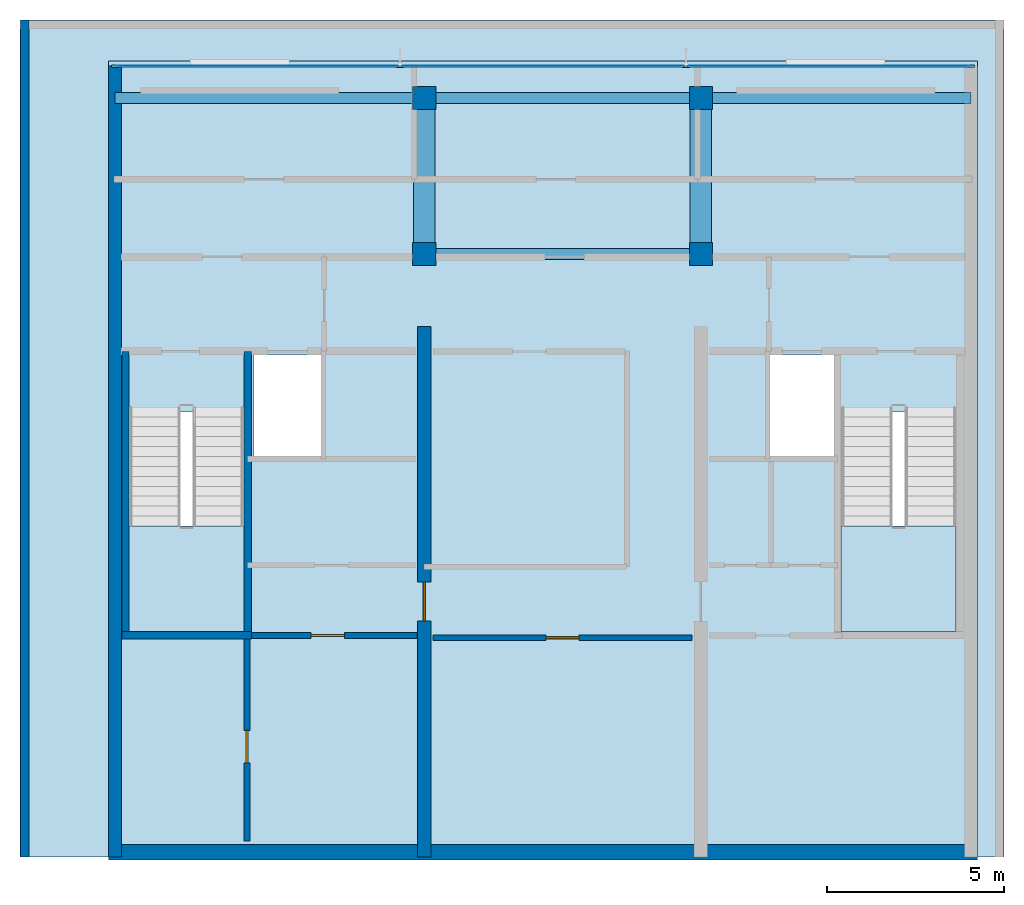
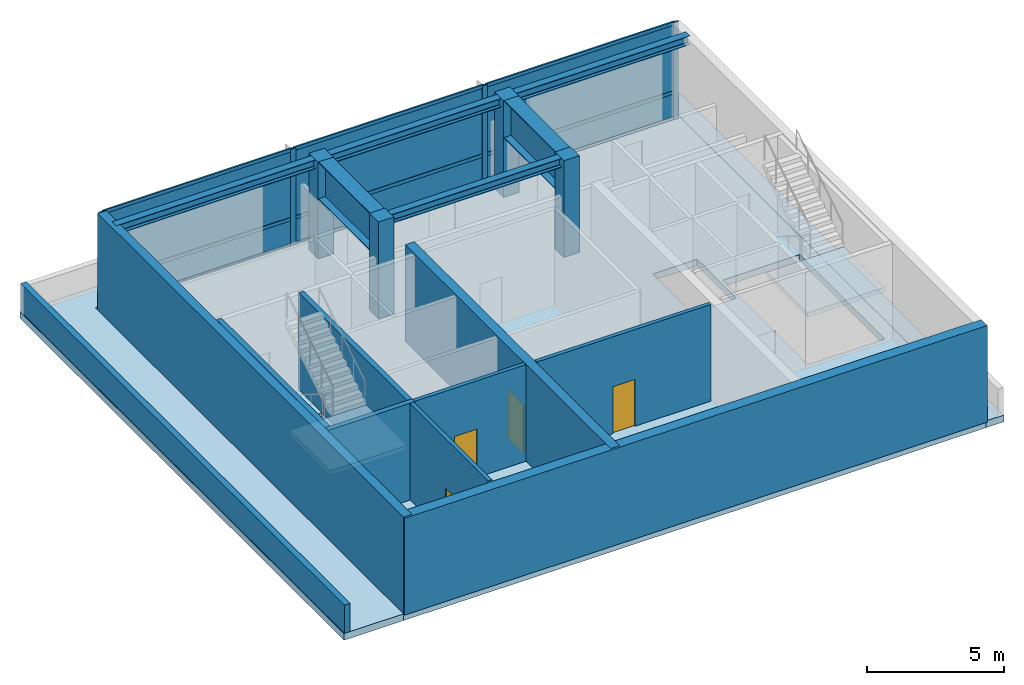
# One storey, part 1 of 4: 13 members, 10 walls, 6 beams, 6 plates, 4 columns, 4 doors, 4 slabs, 4 openings, 3 elements without a shape of their own.
"""IFC4 building model written with IfcOpenShell, lengths in metres."""

from ifc_helpers import new_model, si_unit, direction, frame, frame_2d, origin, origin_2d, place, context, subcontext, project, spatial, polyline, rectangle, i_section, outline, extrude, material, layer, layer_set, material_profile, profile_set, type_object, element, fill, aggregate, save


model = new_model("IFC4")

# Units and contexts
model_context = context("Model", 3, precision=1e-05, world=origin(), true_north=direction((0.0, 1.0)))
body_context = subcontext(model_context, "Body", "Model", "MODEL_VIEW")
ifc_project = project(units=[si_unit("LENGTHUNIT", "METRE"), si_unit("AREAUNIT", "SQUARE_METRE"), si_unit("VOLUMEUNIT", "CUBIC_METRE"), si_unit("PLANEANGLEUNIT", "RADIAN"), si_unit("MASSUNIT", "GRAM", prefix="KILO")], contexts=[model_context])

# Site, building, storey
site_placement = place(None, origin())
site = spatial("IfcSite", under=ifc_project, at=site_placement, CompositionType="ELEMENT")
building_placement = place(site_placement, origin())
building = spatial("IfcBuilding", under=site, at=building_placement, Name="Qalmaran Belvedere Hotel", CompositionType="ELEMENT")
storey_placement = place(building_placement, frame((0.0, 0.0, 307.89990234375)))
storey = spatial("IfcBuildingStorey", under=building, at=storey_placement, Name="C03", CompositionType="ELEMENT", Elevation=307.89990234375)

# Columns
ifc_material_1 = material(Name="Concrete C50/60", Category="concrete")
ifc_material_profile_1 = material_profile(ifc_material_1, rectangle(XDim=0.64990234375, YDim=0.64990234375, at=origin_2d()), Name="CC650X650")
ifc_profile_set_1 = profile_set([ifc_material_profile_1], Name="Concrete C50/60")
column_type = type_object("IfcColumnType", Name="COL-CRN-CC650", PredefinedType="COLUMN", material=ifc_profile_set_1)
for number, where, z_axis, x_axis, name in (
    (1, (29.199951171875, 20.5, -0.2998046875), (0.0, 0.0, 1.0), (1.0, 0.0, 0.0), "C03 Column C5D"),
    (2, (37.0, 20.5, -0.2998046875), (0.0, 0.0, 1.0), (1.0, 0.0, 0.0), "C03 Column C6D"),
    (3, (29.199951171875, 24.89990234375, -0.2998046875), (0.0, 0.0, 1.0), (1.0, 0.0, 0.0), "C03 Column CN2"),
    (4, (37.0, 24.89990234375, -0.2998046875), (0.0, 0.0, 1.0), (1.0, 0.0, 0.0), "C03 Column CN3"),
):
    element("IfcColumn", number, at=place(storey_placement, frame(where, z_axis=z_axis, x_axis=x_axis)), inside=storey, type_object=column_type, Name=name, PredefinedType="COLUMN", context=body_context, shape_type="SweptSolid", body=[
        extrude(rectangle(XDim=0.64990234375, YDim=0.64990234375, at=origin_2d()), origin(), (0.0, 0.0, 1.0), 4.599853515625),
    ])

# Beams
ifc_material_2 = material(Name="Steel S355JR", Category="steel")
ifc_material_profile_2 = material_profile(ifc_material_2, i_section(OverallWidth=0.300048828125, OverallDepth=0.39990234375, WebThickness=0.013427734375, FlangeThickness=0.02392578125, FilletRadius=0.027099609375, at=origin_2d()), Name="HEB400")
ifc_profile_set_2 = profile_set([ifc_material_profile_2], Name="Steel S355JR")
beam_type_1 = type_object("IfcBeamType", Name="BM-CRN-HEB400", PredefinedType="BEAM", material=ifc_profile_set_2)
beam_1_placement = place(storey_placement, frame((29.199951171875, 20.5, 4.10009765625), z_axis=(1.0, 0.0, 0.0), x_axis=(0.0, 1.0, 0.0)))
element("IfcBeam", 5, at=beam_1_placement, inside=storey, type_object=beam_type_1, Name="C03 Crown Frame Beam X01", PredefinedType="BEAM", context=body_context, shape_type="SweptSolid", body=[
    extrude(i_section(OverallWidth=0.300048828125, OverallDepth=0.39990234375, WebThickness=0.013427734375, FlangeThickness=0.02392578125, FilletRadius=0.027099609375, at=origin_2d()), origin(), (0.0, 0.0, 1.0), 7.800048828125),
])
beam_2_placement = place(storey_placement, frame((20.47998046875, 24.89990234375, 4.10009765625), z_axis=(1.0, 0.0, 0.0), x_axis=(0.0, 1.0, 0.0)))
element("IfcBeam", 6, at=beam_2_placement, inside=storey, type_object=beam_type_1, Name="C03 Crown Frame Beam X02", PredefinedType="BEAM", context=body_context, shape_type="SweptSolid", body=[
    extrude(i_section(OverallWidth=0.300048828125, OverallDepth=0.39990234375, WebThickness=0.013427734375, FlangeThickness=0.02392578125, FilletRadius=0.027099609375, at=origin_2d()), origin(), (0.0, 0.0, 1.0), 8.719970703125),
])
beam_3_placement = place(storey_placement, frame((29.199951171875, 24.89990234375, 4.10009765625), z_axis=(1.0, 0.0, 0.0), x_axis=(0.0, 1.0, 0.0)))
element("IfcBeam", 7, at=beam_3_placement, inside=storey, type_object=beam_type_1, Name="C03 Crown Frame Beam X03", PredefinedType="BEAM", context=body_context, shape_type="SweptSolid", body=[
    extrude(i_section(OverallWidth=0.300048828125, OverallDepth=0.39990234375, WebThickness=0.013427734375, FlangeThickness=0.02392578125, FilletRadius=0.027099609375, at=origin_2d()), origin(), (0.0, 0.0, 1.0), 7.800048828125),
])
beam_4_placement = place(storey_placement, frame((37.0, 24.89990234375, 4.10009765625), z_axis=(1.0, 0.0, 0.0), x_axis=(0.0, 1.0, 0.0)))
element("IfcBeam", 8, at=beam_4_placement, inside=storey, type_object=beam_type_1, Name="C03 Crown Frame Beam X04", PredefinedType="BEAM", context=body_context, shape_type="SweptSolid", body=[
    extrude(i_section(OverallWidth=0.300048828125, OverallDepth=0.39990234375, WebThickness=0.013427734375, FlangeThickness=0.02392578125, FilletRadius=0.027099609375, at=origin_2d()), origin(), (0.0, 0.0, 1.0), 7.6201171875),
])
ifc_material_profile_3 = material_profile(ifc_material_2, i_section(OverallWidth=0.60009765625, OverallDepth=1.679931640625, WebThickness=0.02587890625, FlangeThickness=0.035888671875, at=origin_2d()), Name="PG1680X600X36")
ifc_profile_set_3 = profile_set([ifc_material_profile_3], Name="Steel S355JR")
beam_type_2 = type_object("IfcBeamType", Name="BM-TG5-PG1680X600", PredefinedType="USERDEFINED", material=ifc_profile_set_3)
for number, where, z_axis, x_axis, name in (
    (9, (29.199951171875, 20.5, 3.460205078125), (0.0, 1.0, 0.0), (-1.0, 0.0, 0.0), "C03 Crown Frame Beam Y05"),
    (10, (37.0, 20.5, 3.460205078125), (0.0, 1.0, 0.0), (-1.0, 0.0, 0.0), "C03 Crown Frame Beam Y06"),
):
    element("IfcBeam", number, at=place(storey_placement, frame(where, z_axis=z_axis, x_axis=x_axis)), inside=storey, type_object=beam_type_2, Name=name, ObjectType="GIRDER", PredefinedType="USERDEFINED", context=body_context, shape_type="SweptSolid", body=[
        extrude(i_section(OverallWidth=0.60009765625, OverallDepth=1.679931640625, WebThickness=0.02587890625, FlangeThickness=0.035888671875, at=origin_2d()), origin(), (0.0, 0.0, 1.0), 4.39990234375),
    ])

# Curtain wall, members, plates
ifc_material_3 = material(Name="Anodised Bronze Aluminium", Category="aluminium")
ifc_layer_1 = layer(ifc_material_3, 0.205078125, Name="Anodised Bronze Aluminium")
ifc_layer_set_1 = layer_set([ifc_layer_1], Name="Anodised Bronze Aluminium")
curtain_wall_type = type_object("IfcCurtainWallType", Name="CW7-CROWN-BELVEDERE", PredefinedType="NOTDEFINED", material=ifc_layer_set_1)
curtain_wall_placement = place(storey_placement, origin())
curtain_wall = element("IfcCurtainWall", 11, at=curtain_wall_placement, inside=storey, type_object=curtain_wall_type, Name="C03 Curtain Wall CW7", PredefinedType="NOTDEFINED")
ifc_material_profile_4 = material_profile(ifc_material_3, rectangle(XDim=0.074951171875, YDim=0.219970703125, at=origin_2d()), Name="CWM75X220")
ifc_profile_set_4 = profile_set([ifc_material_profile_4], Name="Anodised Bronze Aluminium")
member_type_1 = type_object("IfcMemberType", Name="CWM-75X220", PredefinedType="MULLION", material=ifc_profile_set_4)
member_1_placement = place(storey_placement, frame((44.612548828125, 25.800048828125, 0.0), z_axis=(0.0, 0.0, 1.0), x_axis=(0.0, -1.0, 0.0)))
member_1 = element("IfcMember", 12, at=member_1_placement, type_object=member_type_1, Name="CW7 mullion 1", PredefinedType="MULLION", context=body_context, shape_type="SweptSolid", body=[
    extrude(rectangle(XDim=0.074951171875, YDim=0.219970703125, at=origin_2d()), origin(), (0.0, 0.0, 1.0), 4.300048828125),
])
member_2_placement = place(storey_placement, frame((36.583251953125, 25.800048828125, 0.0), z_axis=(0.0, 0.0, 1.0), x_axis=(0.0, -1.0, 0.0)))
member_2 = element("IfcMember", 13, at=member_2_placement, type_object=member_type_1, Name="CW7 mullion 2", PredefinedType="MULLION", context=body_context, shape_type="SweptSolid", body=[
    extrude(rectangle(XDim=0.074951171875, YDim=0.219970703125, at=origin_2d()), origin(), (0.0, 0.0, 1.0), 4.300048828125),
])
member_3_placement = place(storey_placement, frame((28.5166015625, 25.800048828125, 0.0), z_axis=(0.0, 0.0, 1.0), x_axis=(0.0, -1.0, 0.0)))
member_3 = element("IfcMember", 14, at=member_3_placement, type_object=member_type_1, Name="CW7 mullion 3", PredefinedType="MULLION", context=body_context, shape_type="SweptSolid", body=[
    extrude(rectangle(XDim=0.074951171875, YDim=0.219970703125, at=origin_2d()), origin(), (0.0, 0.0, 1.0), 4.300048828125),
])
member_4_placement = place(storey_placement, frame((20.487548828125, 25.800048828125, 0.0), z_axis=(0.0, 0.0, 1.0), x_axis=(0.0, -1.0, 0.0)))
member_4 = element("IfcMember", 15, at=member_4_placement, type_object=member_type_1, Name="CW7 mullion 4", PredefinedType="MULLION", context=body_context, shape_type="SweptSolid", body=[
    extrude(rectangle(XDim=0.074951171875, YDim=0.219970703125, at=origin_2d()), origin(), (0.0, 0.0, 1.0), 4.300048828125),
])
ifc_material_profile_5 = material_profile(ifc_material_3, rectangle(XDim=0.070068359375, YDim=0.14990234375, at=origin_2d()), Name="CWT70X150")
ifc_profile_set_5 = profile_set([ifc_material_profile_5], Name="Anodised Bronze Aluminium")
member_type_2 = type_object("IfcMemberType", Name="CWT-70X150", PredefinedType="USERDEFINED", material=ifc_profile_set_5)
member_5_placement = place(storey_placement, frame((44.574951171875, 25.800048828125, 0.03515625), z_axis=(-1.0, 0.0, 0.0), x_axis=(0.0, -1.0, 0.0)))
member_5 = element("IfcMember", 16, at=member_5_placement, type_object=member_type_2, Name="CW7 transom 1.1", ObjectType="TRANSOM", PredefinedType="USERDEFINED", context=body_context, shape_type="SweptSolid", body=[
    extrude(rectangle(XDim=0.070068359375, YDim=0.14990234375, at=origin_2d()), origin(), (0.0, 0.0, 1.0), 7.9541015625),
])
member_6_placement = place(storey_placement, frame((44.574951171875, 25.800048828125, 1.2041015625), z_axis=(-1.0, 0.0, 0.0), x_axis=(0.0, -1.0, 0.0)))
member_6 = element("IfcMember", 17, at=member_6_placement, type_object=member_type_2, Name="CW7 transom 1.2", ObjectType="TRANSOM", PredefinedType="USERDEFINED", context=body_context, shape_type="SweptSolid", body=[
    extrude(rectangle(XDim=0.070068359375, YDim=0.14990234375, at=origin_2d()), origin(), (0.0, 0.0, 1.0), 7.9541015625),
])
member_7_placement = place(storey_placement, frame((44.574951171875, 25.800048828125, 4.26513671875), z_axis=(-1.0, 0.0, 0.0), x_axis=(0.0, -1.0, 0.0)))
member_7 = element("IfcMember", 18, at=member_7_placement, type_object=member_type_2, Name="CW7 transom 1.3", ObjectType="TRANSOM", PredefinedType="USERDEFINED", context=body_context, shape_type="SweptSolid", body=[
    extrude(rectangle(XDim=0.070068359375, YDim=0.14990234375, at=origin_2d()), origin(), (0.0, 0.0, 1.0), 7.9541015625),
])
member_8_placement = place(storey_placement, frame((36.5458984375, 25.800048828125, 0.03515625), z_axis=(-1.0, 0.0, 0.0), x_axis=(0.0, -1.0, 0.0)))
member_8 = element("IfcMember", 19, at=member_8_placement, type_object=member_type_2, Name="CW7 transom 2.1", ObjectType="TRANSOM", PredefinedType="USERDEFINED", context=body_context, shape_type="SweptSolid", body=[
    extrude(rectangle(XDim=0.070068359375, YDim=0.14990234375, at=origin_2d()), origin(), (0.0, 0.0, 1.0), 7.99169921875),
])
member_9_placement = place(storey_placement, frame((36.5458984375, 25.800048828125, 1.2041015625), z_axis=(-1.0, 0.0, 0.0), x_axis=(0.0, -1.0, 0.0)))
member_9 = element("IfcMember", 20, at=member_9_placement, type_object=member_type_2, Name="CW7 transom 2.2", ObjectType="TRANSOM", PredefinedType="USERDEFINED", context=body_context, shape_type="SweptSolid", body=[
    extrude(rectangle(XDim=0.070068359375, YDim=0.14990234375, at=origin_2d()), origin(), (0.0, 0.0, 1.0), 7.99169921875),
])
member_10_placement = place(storey_placement, frame((36.5458984375, 25.800048828125, 4.26513671875), z_axis=(-1.0, 0.0, 0.0), x_axis=(0.0, -1.0, 0.0)))
member_10 = element("IfcMember", 21, at=member_10_placement, type_object=member_type_2, Name="CW7 transom 2.3", ObjectType="TRANSOM", PredefinedType="USERDEFINED", context=body_context, shape_type="SweptSolid", body=[
    extrude(rectangle(XDim=0.070068359375, YDim=0.14990234375, at=origin_2d()), origin(), (0.0, 0.0, 1.0), 7.99169921875),
])
member_11_placement = place(storey_placement, frame((28.479248046875, 25.800048828125, 0.03515625), z_axis=(-1.0, 0.0, 0.0), x_axis=(0.0, -1.0, 0.0)))
member_11 = element("IfcMember", 22, at=member_11_placement, type_object=member_type_2, Name="CW7 transom 3.1", ObjectType="TRANSOM", PredefinedType="USERDEFINED", context=body_context, shape_type="SweptSolid", body=[
    extrude(rectangle(XDim=0.070068359375, YDim=0.14990234375, at=origin_2d()), origin(), (0.0, 0.0, 1.0), 7.954345703125),
])
member_12_placement = place(storey_placement, frame((28.479248046875, 25.800048828125, 1.2041015625), z_axis=(-1.0, 0.0, 0.0), x_axis=(0.0, -1.0, 0.0)))
member_12 = element("IfcMember", 23, at=member_12_placement, type_object=member_type_2, Name="CW7 transom 3.2", ObjectType="TRANSOM", PredefinedType="USERDEFINED", context=body_context, shape_type="SweptSolid", body=[
    extrude(rectangle(XDim=0.070068359375, YDim=0.14990234375, at=origin_2d()), origin(), (0.0, 0.0, 1.0), 7.954345703125),
])
member_13_placement = place(storey_placement, frame((28.479248046875, 25.800048828125, 4.26513671875), z_axis=(-1.0, 0.0, 0.0), x_axis=(0.0, -1.0, 0.0)))
member_13 = element("IfcMember", 24, at=member_13_placement, type_object=member_type_2, Name="CW7 transom 3.3", ObjectType="TRANSOM", PredefinedType="USERDEFINED", context=body_context, shape_type="SweptSolid", body=[
    extrude(rectangle(XDim=0.070068359375, YDim=0.14990234375, at=origin_2d()), origin(), (0.0, 0.0, 1.0), 7.954345703125),
])
ifc_material_4 = material(Name="Anodised Bronze Spandrel Panel")
ifc_layer_2 = layer(ifc_material_4, 0.035888671875, Name="Anodised Bronze Spandrel Panel")
ifc_layer_set_2 = layer_set([ifc_layer_2], Name="Anodised Bronze Spandrel Panel")
plate_type_1 = type_object("IfcPlateType", Name="CWP-SPANDREL-36", PredefinedType="CURTAIN_PANEL", material=ifc_layer_set_2)
plate_1_placement = place(storey_placement, frame((40.597900390625, 25.800048828125, 0.070068359375), z_axis=(0.0, 0.0, 1.0), x_axis=(-1.0, 0.0, 0.0)))
plate_1 = element("IfcPlate", 25, at=plate_1_placement, type_object=plate_type_1, Name="CW7 panel 1.1", PredefinedType="CURTAIN_PANEL", context=body_context, shape_type="SweptSolid", body=[
    extrude(rectangle(XDim=7.9541015625, YDim=0.035888671875, at=origin_2d()), origin(), (0.0, 0.0, 1.0), 1.09912109375),
])
plate_2_placement = place(storey_placement, frame((32.550048828125, 25.800048828125, 0.070068359375), z_axis=(0.0, 0.0, 1.0), x_axis=(-1.0, 0.0, 0.0)))
plate_2 = element("IfcPlate", 26, at=plate_2_placement, type_object=plate_type_1, Name="CW7 panel 2.1", PredefinedType="CURTAIN_PANEL", context=body_context, shape_type="SweptSolid", body=[
    extrude(rectangle(XDim=7.99169921875, YDim=0.035888671875, at=origin_2d()), origin(), (0.0, 0.0, 1.0), 1.09912109375),
])
plate_3_placement = place(storey_placement, frame((24.502197265625, 25.800048828125, 0.070068359375), z_axis=(0.0, 0.0, 1.0), x_axis=(-1.0, 0.0, 0.0)))
plate_3 = element("IfcPlate", 27, at=plate_3_placement, type_object=plate_type_1, Name="CW7 panel 3.1", PredefinedType="CURTAIN_PANEL", context=body_context, shape_type="SweptSolid", body=[
    extrude(rectangle(XDim=7.9541015625, YDim=0.035888671875, at=origin_2d()), origin(), (0.0, 0.0, 1.0), 1.09912109375),
])
ifc_material_5 = material(Name="Solar-Control Double Glazing", Category="glass")
ifc_layer_3 = layer(ifc_material_5, 0.028076171875, Name="Solar-Control Double Glazing")
ifc_layer_set_3 = layer_set([ifc_layer_3], Name="Solar-Control Double Glazing")
plate_type_2 = type_object("IfcPlateType", Name="CWP-VISION-28", PredefinedType="CURTAIN_PANEL", material=ifc_layer_set_3)
plate_4_placement = place(storey_placement, frame((40.597900390625, 25.800048828125, 1.2392578125), z_axis=(0.0, 0.0, 1.0), x_axis=(-1.0, 0.0, 0.0)))
plate_4 = element("IfcPlate", 28, at=plate_4_placement, type_object=plate_type_2, Name="CW7 panel 1.2", PredefinedType="CURTAIN_PANEL", context=body_context, shape_type="SweptSolid", body=[
    extrude(rectangle(XDim=7.9541015625, YDim=0.028076171875, at=origin_2d()), origin(), (0.0, 0.0, 1.0), 2.990966796875),
])
plate_5_placement = place(storey_placement, frame((32.550048828125, 25.800048828125, 1.2392578125), z_axis=(0.0, 0.0, 1.0), x_axis=(-1.0, 0.0, 0.0)))
plate_5 = element("IfcPlate", 29, at=plate_5_placement, type_object=plate_type_2, Name="CW7 panel 2.2", PredefinedType="CURTAIN_PANEL", context=body_context, shape_type="SweptSolid", body=[
    extrude(rectangle(XDim=7.99169921875, YDim=0.028076171875, at=origin_2d()), origin(), (0.0, 0.0, 1.0), 2.990966796875),
])
plate_6_placement = place(storey_placement, frame((24.502197265625, 25.800048828125, 1.2392578125), z_axis=(0.0, 0.0, 1.0), x_axis=(-1.0, 0.0, 0.0)))
plate_6 = element("IfcPlate", 30, at=plate_6_placement, type_object=plate_type_2, Name="CW7 panel 3.2", PredefinedType="CURTAIN_PANEL", context=body_context, shape_type="SweptSolid", body=[
    extrude(rectangle(XDim=7.9541015625, YDim=0.028076171875, at=origin_2d()), origin(), (0.0, 0.0, 1.0), 2.990966796875),
])
aggregate(curtain_wall, [member_1, member_2, member_3, member_4, member_5, member_6, member_7, plate_1, plate_4, member_8, member_9, member_10, plate_2, plate_5, member_11, member_12, member_13, plate_3, plate_6])

# Slabs
ifc_material_6 = material(Name="Concrete C40/50", Category="concrete")
ifc_layer_4 = layer(ifc_material_6, 0.300048828125, Name="Concrete C40/50")
ifc_layer_set_4 = layer_set([ifc_layer_4], Name="Concrete C40/50")
slab_type_1 = type_object("IfcSlabType", Name="SLB-CRN-300", PredefinedType="FLOOR", material=ifc_layer_set_4)
slab_1_placement = place(storey_placement, frame((0.0, 0.0, -0.2998046875)))
element("IfcSlab", 31, at=slab_1_placement, inside=storey, type_object=slab_type_1, Name="C03 Structural Floor Slab", PredefinedType="FLOOR", context=body_context, shape_type="SweptSolid", body=[
    extrude(outline(polyline([(20.300048828125, 3.5), (44.800048828125, 3.5), (44.800048828125, 25.949951171875), (20.300048828125, 25.949951171875), (20.300048828125, 3.5)]), holes=[polyline([(20.8798828125, 9.85009765625), (24.1201171875, 9.85009765625), (24.1201171875, 16.0400390625), (20.8798828125, 16.0400390625), (20.8798828125, 9.85009765625)]), polyline([(40.9599609375, 9.85009765625), (44.199951171875, 9.85009765625), (44.199951171875, 16.0400390625), (40.9599609375, 16.0400390625), (40.9599609375, 9.85009765625)]), polyline([(24.39990234375, 14.800048828125), (26.300048828125, 14.800048828125), (26.300048828125, 17.64990234375), (24.39990234375, 17.64990234375), (24.39990234375, 14.800048828125)]), polyline([(38.949951171875, 14.800048828125), (40.820068359375, 14.800048828125), (40.820068359375, 17.64990234375), (38.949951171875, 17.64990234375), (38.949951171875, 14.800048828125)])]), origin(), (0.0, 0.0, 1.0), 0.2998046875),
])
ifc_layer_5 = layer(ifc_material_6, 0.300048828125, Name="Concrete C40/50")
ifc_layer_set_5 = layer_set([ifc_layer_5], Name="Concrete C40/50")
slab_type_2 = type_object("IfcSlabType", Name="SLB-CROOF-310", PredefinedType="ROOF", material=ifc_layer_set_5)
slab_2_placement = place(storey_placement, frame((0.0, 0.0, -0.2998046875)))
element("IfcSlab", 32, at=slab_2_placement, inside=storey, type_object=slab_type_2, Name="C03 Stepped Roof Cap 1", PredefinedType="ROOF", context=body_context, shape_type="SweptSolid", body=[
    extrude(outline(polyline([(17.800048828125, 3.5), (17.800048828125, 27.10009765625), (45.550048828125, 27.10009765625), (45.550048828125, 3.5), (44.800048828125, 3.5), (44.800048828125, 25.949951171875), (20.300048828125, 25.949951171875), (20.300048828125, 3.5), (17.800048828125, 3.5)])), origin(), (0.0, 0.0, 1.0), 0.2998046875),
])

# Stair, slab
stair_type_1 = type_object("IfcStairType", Name="STR-ST-1-1450-R1769", PredefinedType="HALF_TURN_STAIR", material=ifc_material_6)
stair_1_placement = place(storey_placement, origin())
stair_1 = element("IfcStair", 33, at=stair_1_placement, inside=storey, type_object=stair_type_1, Name="C03 West Core Exit Stair ST-1", PredefinedType="HALF_TURN_STAIR")
ifc_layer_6 = layer(ifc_material_6, 0.199951171875, Name="Concrete C40/50")
ifc_layer_set_6 = layer_set([ifc_layer_6], Name="Concrete C40/50")
slab_type_3 = type_object("IfcSlabType", Name="SLB-STAIR-LANDING-200", PredefinedType="LANDING", material=ifc_layer_set_6)
slab_3_placement = place(storey_placement, frame((0.0, 0.0, 2.10009765625)))
slab_3 = element("IfcSlab", 34, at=slab_3_placement, type_object=slab_type_3, Name="ST-1 landing 1", PredefinedType="LANDING", context=body_context, shape_type="SweptSolid", body=[
    extrude(outline(polyline([(20.8798828125, 12.830078125), (20.8798828125, 9.85009765625), (24.1201171875, 9.85009765625), (24.1201171875, 12.830078125), (20.8798828125, 12.830078125)])), origin(), (0.0, 0.0, 1.0), 0.199951171875),
])
aggregate(stair_1, [slab_3])

stair_type_2 = type_object("IfcStairType", Name="STR-ST-2-1450-R1769", PredefinedType="HALF_TURN_STAIR", material=ifc_material_6)
stair_2_placement = place(storey_placement, origin())
stair_2 = element("IfcStair", 35, at=stair_2_placement, inside=storey, type_object=stair_type_2, Name="C03 East Core Exit Stair ST-2", PredefinedType="HALF_TURN_STAIR")
slab_4_placement = place(storey_placement, frame((0.0, 0.0, 2.10009765625)))
slab_4 = element("IfcSlab", 36, at=slab_4_placement, type_object=slab_type_3, Name="ST-2 landing 1", PredefinedType="LANDING", context=body_context, shape_type="SweptSolid", body=[
    extrude(outline(polyline([(40.9599609375, 12.830078125), (40.9599609375, 9.85009765625), (44.199951171875, 9.85009765625), (44.199951171875, 12.830078125), (40.9599609375, 12.830078125)])), origin(), (0.0, 0.0, 1.0), 0.199951171875),
])
aggregate(stair_2, [slab_4])

# Wall, opening, door
ifc_layer_7 = layer(ifc_material_1, 0.3798828125, Name="Concrete C50/60")
ifc_layer_set_7 = layer_set([ifc_layer_7], Name="Concrete C50/60")
wall_type_1 = type_object("IfcWallType", Name="WL-CORE-380-C50", PredefinedType="SHEAR", material=ifc_layer_set_7)
wall_1_placement = place(storey_placement, frame((29.199951171875, 3.5, 0.0), z_axis=(0.0, 0.0, 1.0), x_axis=(0.0, 1.0, 0.0)))
wall_1 = element("IfcWall", 37, at=wall_1_placement, inside=storey, type_object=wall_type_1, Name="C03 Core West Spine Shear Wall", PredefinedType="SHEAR", context=body_context, shape_type="SweptSolid", body=[
    extrude(rectangle(XDim=14.949951171875, YDim=0.3798828125, at=frame_2d((7.47509765625, 0.0))), origin(), (0.0, 0.0, 1.0), 4.300048828125),
])
opening_1_placement = place(wall_1_placement, frame((7.75, 0.0, 0.0), z_axis=(0.0, 0.0, 1.0), x_axis=(-1.0, 0.0, 0.0)))
opening_1 = element("IfcOpeningElement", 38, at=opening_1_placement, cuts=wall_1, Name="Opening FD90", PredefinedType="OPENING", context=body_context, shape_type="SweptSolid", body=[
    extrude(rectangle(XDim=1.10009765625, YDim=2.14990234375, at=frame_2d((0.550048828125, 1.074951171875))), frame((0.0, 0.199951171875, 0.0), z_axis=(0.0, -1.0, 0.0), x_axis=(1.0, 0.0, 0.0)), (0.0, 0.0, 1.0), 0.39990234375),
])
door_type_1 = type_object("IfcDoorType", Name="DR-FD90-1100X2150", OperationType="NOTDEFINED", PredefinedType="DOOR", material=ifc_material_2)
door_1_placement = place(opening_1_placement, origin())
door_1 = element("IfcDoor", 39, at=door_1_placement, inside=storey, type_object=door_type_1, Name="C03 Core West Cross-Lobby Door", OperationType="SINGLE_SWING_RIGHT", OverallHeight=2.14990234375, OverallWidth=1.10009765625, PredefinedType="DOOR", context=body_context, shape_type="SweptSolid", body=[
    extrude(rectangle(XDim=1.10009765625, YDim=2.14990234375, at=frame_2d((0.550048828125, 1.074951171875))), frame((0.0, 0.02490234375, 0.0), z_axis=(0.0, -1.0, 0.0), x_axis=(1.0, 0.0, 0.0)), (0.0, 0.0, 1.0), 0.050048828125),
])
fill(opening_1, door_1)

# Walls
ifc_layer_8 = layer(ifc_material_1, 0.43994140625, Name="Concrete C50/60")
ifc_layer_set_8 = layer_set([ifc_layer_8], Name="Concrete C50/60")
wall_type_2 = type_object("IfcWallType", Name="WL-CORES-440-EXT", PredefinedType="SHEAR", material=ifc_layer_set_8)
wall_2_placement = place(storey_placement, frame((20.300048828125, 3.6298828125, 0.0), z_axis=(0.0, 0.0, 1.0), x_axis=(1.0, 0.0, 0.0)))
element("IfcWall", 40, at=wall_2_placement, inside=storey, type_object=wall_type_2, Name="C03 South Core Shear Wall", PredefinedType="SHEAR", context=body_context, shape_type="SweptSolid", body=[
    extrude(rectangle(XDim=24.5, YDim=0.43994140625, at=frame_2d((12.25, 0.0))), origin(), (0.0, 0.0, 1.0), 4.300048828125),
])
ifc_layer_9 = layer(ifc_material_1, 0.360107421875, Name="Concrete C50/60")
ifc_layer_set_9 = layer_set([ifc_layer_9], Name="Concrete C50/60")
wall_type_3 = type_object("IfcWallType", Name="WL-COREWE-360-EXT", PredefinedType="SHEAR", material=ifc_layer_set_9)
wall_3_placement = place(storey_placement, frame((20.47998046875, 3.5, 0.0), z_axis=(0.0, 0.0, 1.0), x_axis=(0.0, 1.0, 0.0)))
element("IfcWall", 41, at=wall_3_placement, inside=storey, type_object=wall_type_3, Name="C03 West Core Shear Wall", PredefinedType="SHEAR", context=body_context, shape_type="SweptSolid", body=[
    extrude(rectangle(XDim=22.300048828125, YDim=0.360107421875, at=frame_2d((11.14990234375, 0.0))), origin(), (0.0, 0.0, 1.0), 4.300048828125),
])

# Wall, opening, door
ifc_material_7 = material(Name="Gypsum Stud Partition")
ifc_layer_10 = layer(ifc_material_7, 0.159912109375, Name="Gypsum Stud Partition")
ifc_layer_set_10 = layer_set([ifc_layer_10], Name="Gypsum Stud Partition")
wall_type_4 = type_object("IfcWallType", Name="WL-INT-160-EI120", PredefinedType="PARTITIONING", material=ifc_layer_set_10)
wall_4_placement = place(storey_placement, frame((24.199951171875, 3.949951171875, 0.0), z_axis=(0.0, 0.0, 1.0), x_axis=(0.0, 1.0, 0.0)))
wall_4 = element("IfcWall", 42, at=wall_4_placement, inside=storey, type_object=wall_type_4, Name="C03 Partition WL-PONV-C03", PredefinedType="PARTITIONING", context=body_context, shape_type="SweptSolid", body=[
    extrude(rectangle(XDim=5.7900390625, YDim=0.159912109375, at=frame_2d((2.89501953125, 0.0))), origin(), (0.0, 0.0, 1.0), 4.300048828125),
])
opening_2_placement = place(wall_4_placement, frame((2.199951171875, 0.0, 0.0)))
opening_2 = element("IfcOpeningElement", 43, at=opening_2_placement, cuts=wall_4, Name="Opening FD60S1", PredefinedType="OPENING", context=body_context, shape_type="SweptSolid", body=[
    extrude(rectangle(XDim=0.919921875, YDim=2.080078125, at=frame_2d((0.4599609375, 1.0400390625))), frame((0.0, 0.08984375, 0.0), z_axis=(0.0, -1.0, 0.0), x_axis=(1.0, 0.0, 0.0)), (0.0, 0.0, 1.0), 0.179931640625),
])
ifc_material_8 = material(Name="Engineered Oak Veneer")
door_type_2 = type_object("IfcDoorType", Name="DR-FD60S-920X2080", OperationType="NOTDEFINED", PredefinedType="DOOR", material=ifc_material_8)
door_2_placement = place(opening_2_placement, origin())
door_2 = element("IfcDoor", 44, at=door_2_placement, inside=storey, type_object=door_type_2, Name="C03 Machine Plant Inner Door", OperationType="SINGLE_SWING_RIGHT", OverallHeight=2.080078125, OverallWidth=0.919921875, PredefinedType="DOOR", context=body_context, shape_type="SweptSolid", body=[
    extrude(rectangle(XDim=0.919921875, YDim=2.080078125, at=frame_2d((0.4599609375, 1.0400390625))), frame((0.0, 0.02490234375, 0.0), z_axis=(0.0, -1.0, 0.0), x_axis=(1.0, 0.0, 0.0)), (0.0, 0.0, 1.0), 0.050048828125),
])
fill(opening_2, door_2)

wall_5_placement = place(storey_placement, frame((24.199951171875, 9.739990234375, 0.0), z_axis=(0.0, 0.0, 1.0), x_axis=(1.0, 0.0, 0.0)))
wall_5 = element("IfcWall", 45, at=wall_5_placement, inside=storey, type_object=wall_type_4, Name="C03 Partition WL-PONN-C03", PredefinedType="PARTITIONING", context=body_context, shape_type="SweptSolid", body=[
    extrude(rectangle(XDim=4.800048828125, YDim=0.159912109375, at=frame_2d((2.39990234375, 0.0))), origin(), (0.0, 0.0, 1.0), 4.300048828125),
])
opening_3_placement = place(wall_5_placement, frame((2.75, 0.0, 0.0), z_axis=(0.0, 0.0, 1.0), x_axis=(-1.0, 0.0, 0.0)))
opening_3 = element("IfcOpeningElement", 46, at=opening_3_placement, cuts=wall_5, Name="Opening FD60", PredefinedType="OPENING", context=body_context, shape_type="SweptSolid", body=[
    extrude(rectangle(XDim=0.949951171875, YDim=2.14990234375, at=frame_2d((0.47509765625, 1.074951171875))), frame((0.0, 0.08984375, 0.0), z_axis=(0.0, -1.0, 0.0), x_axis=(1.0, 0.0, 0.0)), (0.0, 0.0, 1.0), 0.179931640625),
])
door_type_3 = type_object("IfcDoorType", Name="DR-FD60-950X2150", OperationType="NOTDEFINED", PredefinedType="DOOR", material=ifc_material_8)
door_3_placement = place(opening_3_placement, origin())
door_3 = element("IfcDoor", 47, at=door_3_placement, inside=storey, type_object=door_type_3, Name="C03 Buffer Plant Passage Door", OperationType="SINGLE_SWING_LEFT", OverallHeight=2.14990234375, OverallWidth=0.949951171875, PredefinedType="DOOR", context=body_context, shape_type="SweptSolid", body=[
    extrude(rectangle(XDim=0.949951171875, YDim=2.14990234375, at=frame_2d((0.47509765625, 1.074951171875))), frame((0.0, 0.02490234375, 0.0), z_axis=(0.0, -1.0, 0.0), x_axis=(1.0, 0.0, 0.0)), (0.0, 0.0, 1.0), 0.050048828125),
])
fill(opening_3, door_3)

ifc_layer_11 = layer(ifc_material_7, 0.159912109375, Name="Gypsum Stud Partition")
ifc_layer_set_11 = layer_set([ifc_layer_11], Name="Gypsum Stud Partition")
wall_type_5 = type_object("IfcWallType", Name="WL-INT-160-EI60", PredefinedType="PARTITIONING", material=ifc_layer_set_11)
wall_6_placement = place(storey_placement, frame((29.449951171875, 9.679931640625, 0.0), z_axis=(0.0, 0.0, 1.0), x_axis=(1.0, 0.0, 0.0)))
wall_6 = element("IfcWall", 48, at=wall_6_placement, inside=storey, type_object=wall_type_5, Name="C03 Partition WL-C03-KPLE1", PredefinedType="PARTITIONING", context=body_context, shape_type="SweptSolid", body=[
    extrude(rectangle(XDim=7.300048828125, YDim=0.159912109375, at=frame_2d((3.64990234375, 0.0))), origin(), (0.0, 0.0, 1.0), 4.300048828125),
])
opening_4_placement = place(wall_6_placement, frame((4.10986328125, 0.0, 0.0), z_axis=(0.0, 0.0, 1.0), x_axis=(-1.0, 0.0, 0.0)))
opening_4 = element("IfcOpeningElement", 49, at=opening_4_placement, cuts=wall_6, Name="Opening FD60S1", PredefinedType="OPENING", context=body_context, shape_type="SweptSolid", body=[
    extrude(rectangle(XDim=0.919921875, YDim=2.080078125, at=frame_2d((0.4599609375, 1.0400390625))), frame((0.0, 0.08984375, 0.0), z_axis=(0.0, -1.0, 0.0), x_axis=(1.0, 0.0, 0.0)), (0.0, 0.0, 1.0), 0.179931640625),
])
door_4_placement = place(opening_4_placement, origin())
door_4 = element("IfcDoor", 50, at=door_4_placement, inside=storey, type_object=door_type_2, Name="C03 Pressurisation Fan Plant Room Door", OperationType="SINGLE_SWING_LEFT", OverallHeight=2.080078125, OverallWidth=0.919921875, PredefinedType="DOOR", context=body_context, shape_type="SweptSolid", body=[
    extrude(rectangle(XDim=0.919921875, YDim=2.080078125, at=frame_2d((0.4599609375, 1.0400390625))), frame((0.0, 0.02490234375, 0.0), z_axis=(0.0, -1.0, 0.0), x_axis=(1.0, 0.0, 0.0)), (0.0, 0.0, 1.0), 0.050048828125),
])
fill(opening_4, door_4)

# Walls
ifc_layer_12 = layer(ifc_material_6, 0.239990234375, Name="Concrete C40/50")
ifc_layer_set_12 = layer_set([ifc_layer_12], Name="Concrete C40/50")
wall_type_6 = type_object("IfcWallType", Name="WL-PARAPET-240", PredefinedType="PARAPET", material=ifc_layer_set_12)
wall_7_placement = place(storey_placement, frame((17.93994140625, 27.10009765625, 0.0), z_axis=(0.0, 0.0, 1.0), x_axis=(0.0, -1.0, 0.0)))
element("IfcWall", 51, at=wall_7_placement, inside=storey, type_object=wall_type_6, Name="C03 Roof Parapet 4", PredefinedType="PARAPET", context=body_context, shape_type="SweptSolid", body=[
    extrude(rectangle(XDim=23.60009765625, YDim=0.239990234375, at=frame_2d((11.800048828125, 0.0))), origin(), (0.0, 0.0, 1.0), 1.25),
])
ifc_layer_13 = layer(ifc_material_1, 0.2099609375, Name="Concrete C50/60")
ifc_layer_set_13 = layer_set([ifc_layer_13], Name="Concrete C50/60")
wall_type_7 = type_object("IfcWallType", Name="WL-STAIR-210-C50", PredefinedType="SHEAR", material=ifc_layer_set_13)
for number, where, z_axis, x_axis, name in (
    (52, (20.77490234375, 9.7451171875, 0.0), (0.0, 0.0, 1.0), (0.0, 1.0, 0.0), "C03 Stair ST-1 West Bearing Wall"),
    (53, (24.22509765625, 9.7451171875, 0.0), (0.0, 0.0, 1.0), (0.0, 1.0, 0.0), "C03 Stair ST-1 East Bearing Wall"),
):
    element("IfcWall", number, at=place(storey_placement, frame(where, z_axis=z_axis, x_axis=x_axis)), inside=storey, type_object=wall_type_7, Name=name, PredefinedType="SHEAR", context=body_context, shape_type="SweptSolid", body=[
        extrude(rectangle(XDim=8.009765625, YDim=0.2099609375, at=frame_2d((4.0048828125, 0.0))), origin(), (0.0, 0.0, 1.0), 4.300048828125),
    ])
wall_8_placement = place(storey_placement, frame((20.669921875, 9.7451171875, 0.0), z_axis=(0.0, 0.0, 1.0), x_axis=(1.0, 0.0, 0.0)))
element("IfcWall", 54, at=wall_8_placement, inside=storey, type_object=wall_type_7, Name="C03 Stair ST-1 South Bearing Wall", PredefinedType="SHEAR", context=body_context, shape_type="SweptSolid", body=[
    extrude(rectangle(XDim=3.66015625, YDim=0.2099609375, at=frame_2d((1.830078125, 0.0))), origin(), (0.0, 0.0, 1.0), 4.300048828125),
])

save(model, "model.ifc")
